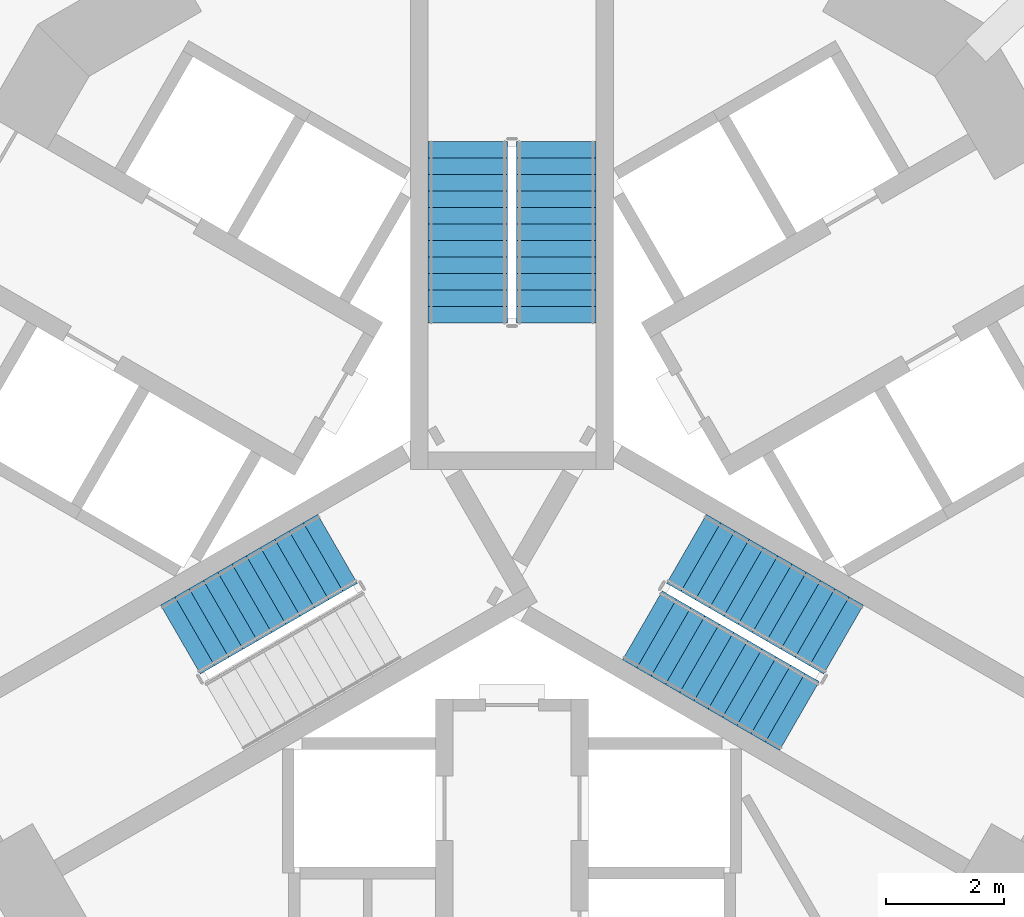
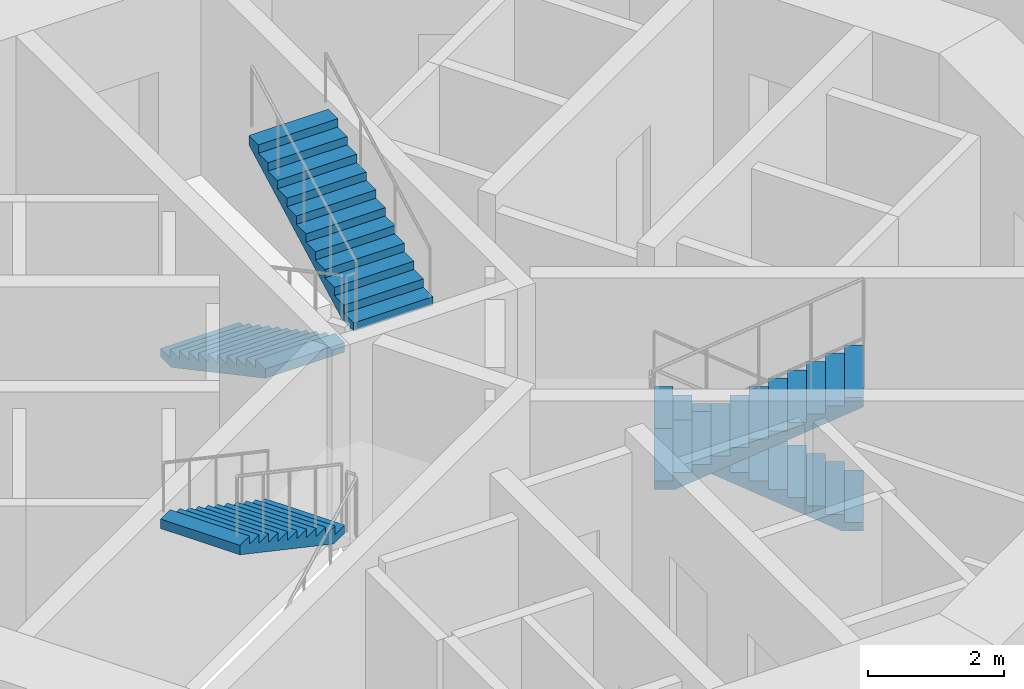
# One storey, part 12 of 20: 5 stair flights, 3 elements without a shape of their own.
"""IFC4 building model written with IfcOpenShell, lengths in metres."""

from ifc_helpers import new_model, si_unit, direction, frame, origin, place, context, subcontext, project, spatial, polyline, outline, extrude, material, type_object, element, aggregate, save


model = new_model("IFC4")

# Units and contexts
model_context = context("Model", 3, precision=1e-05, world=origin(), true_north=direction((0.0, 1.0)))
body_context = subcontext(model_context, "Body", "Model", "MODEL_VIEW")
ifc_project = project(units=[si_unit("LENGTHUNIT", "METRE"), si_unit("AREAUNIT", "SQUARE_METRE"), si_unit("VOLUMEUNIT", "CUBIC_METRE"), si_unit("PLANEANGLEUNIT", "RADIAN"), si_unit("MASSUNIT", "GRAM", prefix="KILO")], contexts=[model_context])

# Site, building, storey
site_placement = place(None, origin())
site = spatial("IfcSite", under=ifc_project, at=site_placement, CompositionType="ELEMENT")
building_placement = place(site_placement, origin())
building = spatial("IfcBuilding", under=site, at=building_placement, Name="Trine Commons Tower", CompositionType="ELEMENT")
storey_placement = place(building_placement, frame((0.0, 0.0, 101.699951171875)))
storey = spatial("IfcBuildingStorey", under=building, at=storey_placement, Name="L25", CompositionType="ELEMENT", Elevation=101.699951171875)

# Stair, stair flights
ifc_material = material(Name="Concrete C50/60", Category="concrete")
stair_type = type_object("IfcStairType", Name="Exit stair, dog-leg, 24 risers of 150 mm", PredefinedType="HALF_TURN_STAIR", material=ifc_material)
stair_1_placement = place(storey_placement, origin())
stair_1 = element("IfcStair", 1, at=stair_1_placement, inside=storey, type_object=stair_type, Name="L25 Exit stair ST1A", PredefinedType="HALF_TURN_STAIR")
stair_flight_type = type_object("IfcStairFlightType", Name="Stair flight, 1350 wide, 12 risers of 150 mm", PredefinedType="STRAIGHT", material=ifc_material)
stair_flight_1_placement = place(storey_placement, frame((79.25, 68.570556640625, 0.0), z_axis=(0.0, 0.0, 1.0), x_axis=(0.0, -1.0, 0.0)))
stair_flight_1 = element("IfcStairFlight", 2, at=stair_flight_1_placement, type_object=stair_flight_type, Name="ST1A flight 1", NumberOfRisers=12, NumberOfTreads=11, PredefinedType="STRAIGHT", RiserHeight=0.15, TreadLength=0.28, context=body_context, shape_type="SweptSolid", body=[
    extrude(outline(polyline([(0.0, 0.0), (0.0, 0.14990234375), (0.280029296875, 0.14990234375), (0.280029296875, 0.300048828125), (0.56005859375, 0.300048828125), (0.56005859375, 0.449951171875), (0.840087890625, 0.449951171875), (0.840087890625, 0.60009765625), (1.1201171875, 0.60009765625), (1.1201171875, 0.75), (1.39990234375, 0.75), (1.39990234375, 0.89990234375), (1.679931640625, 0.89990234375), (1.679931640625, 1.050048828125), (1.9599609375, 1.050048828125), (1.9599609375, 1.199951171875), (2.239990234375, 1.199951171875), (2.239990234375, 1.35009765625), (2.52001953125, 1.35009765625), (2.52001953125, 1.5), (2.800048828125, 1.5), (2.800048828125, 1.64990234375), (3.080078125, 1.64990234375), (3.080078125, 1.800048828125), (3.080078125, 1.47998046875), (0.3173828125, 0.0), (0.0, 0.0)])), frame((0.0, 0.675048828125, 0.0), z_axis=(0.0, -1.0, 0.0), x_axis=(1.0, 0.0, 0.0)), (0.0, 0.0, 1.0), 1.35009765625),
])
stair_flight_2_placement = place(storey_placement, frame((80.75, 65.490478515625, 1.800048828125), z_axis=(0.0, 0.0, 1.0), x_axis=(0.0, 1.0, 0.0)))
stair_flight_2 = element("IfcStairFlight", 3, at=stair_flight_2_placement, type_object=stair_flight_type, Name="ST1A flight 2", NumberOfRisers=12, NumberOfTreads=11, PredefinedType="STRAIGHT", RiserHeight=0.15, TreadLength=0.28, context=body_context, shape_type="SweptSolid", body=[
    extrude(outline(polyline([(0.0, 0.0), (0.0, 0.14990234375), (0.280029296875, 0.14990234375), (0.280029296875, 0.300048828125), (0.56005859375, 0.300048828125), (0.56005859375, 0.449951171875), (0.840087890625, 0.449951171875), (0.840087890625, 0.60009765625), (1.1201171875, 0.60009765625), (1.1201171875, 0.75), (1.39990234375, 0.75), (1.39990234375, 0.89990234375), (1.679931640625, 0.89990234375), (1.679931640625, 1.050048828125), (1.9599609375, 1.050048828125), (1.9599609375, 1.199951171875), (2.239990234375, 1.199951171875), (2.239990234375, 1.35009765625), (2.52001953125, 1.35009765625), (2.52001953125, 1.5), (2.800048828125, 1.5), (2.800048828125, 1.64990234375), (3.080078125, 1.64990234375), (3.080078125, 1.800048828125), (3.080078125, 1.47998046875), (0.3173828125, 0.0), (0.0, 0.0)])), frame((0.0, 0.675048828125, 0.0), z_axis=(0.0, -1.0, 0.0), x_axis=(1.0, 0.0, 0.0)), (0.0, 0.0, 1.0), 1.35009765625),
])
aggregate(stair_1, [stair_flight_1, stair_flight_2])

# Stair, stair flight
stair_2_placement = place(storey_placement, origin())
stair_2 = element("IfcStair", 4, at=stair_2_placement, inside=storey, type_object=stair_type, Name="L25 Exit stair ST2A", PredefinedType="HALF_TURN_STAIR")
stair_flight_3_placement = place(storey_placement, frame((77.03515625, 61.654296875, 1.800048828125), z_axis=(0.0, 0.0, 1.0), x_axis=(-0.866025403784, -0.5, 0.0)))
stair_flight_3 = element("IfcStairFlight", 5, at=stair_flight_3_placement, type_object=stair_flight_type, Name="ST2A flight 2", NumberOfRisers=12, NumberOfTreads=11, PredefinedType="STRAIGHT", RiserHeight=0.15, TreadLength=0.28, context=body_context, shape_type="SweptSolid", body=[
    extrude(outline(polyline([(0.0, 0.0), (0.0, 0.14990234375), (0.280029296875, 0.14990234375), (0.280029296875, 0.300048828125), (0.56005859375, 0.300048828125), (0.56005859375, 0.449951171875), (0.840087890625, 0.449951171875), (0.840087890625, 0.60009765625), (1.1201171875, 0.60009765625), (1.1201171875, 0.75), (1.39990234375, 0.75), (1.39990234375, 0.89990234375), (1.679931640625, 0.89990234375), (1.679931640625, 1.050048828125), (1.9599609375, 1.050048828125), (1.9599609375, 1.199951171875), (2.239990234375, 1.199951171875), (2.239990234375, 1.35009765625), (2.52001953125, 1.35009765625), (2.52001953125, 1.5), (2.800048828125, 1.5), (2.800048828125, 1.64990234375), (3.080078125, 1.64990234375), (3.080078125, 1.800048828125), (3.080078125, 1.47998046875), (0.3173828125, 0.0), (0.0, 0.0)])), frame((0.0, 0.675048828125, 0.0), z_axis=(0.0, -1.0, 0.0), x_axis=(1.0, 0.0, 0.0)), (0.0, 0.0, 1.0), 1.35009765625),
])
aggregate(stair_2, [stair_flight_3])

# Stair, stair flights
stair_3_placement = place(storey_placement, origin())
stair_3 = element("IfcStair", 6, at=stair_3_placement, inside=storey, type_object=stair_type, Name="L25 Exit stair ST3A", PredefinedType="HALF_TURN_STAIR")
stair_flight_4_placement = place(storey_placement, frame((85.63232421875, 60.1142578125, 0.0), z_axis=(0.0, 0.0, 1.0), x_axis=(-0.866025403784, 0.5, 0.0)))
stair_flight_4 = element("IfcStairFlight", 7, at=stair_flight_4_placement, type_object=stair_flight_type, Name="ST3A flight 1", NumberOfRisers=12, NumberOfTreads=11, PredefinedType="STRAIGHT", RiserHeight=0.15, TreadLength=0.28, context=body_context, shape_type="SweptSolid", body=[
    extrude(outline(polyline([(0.0, 0.0), (0.0, 0.14990234375), (0.280029296875, 0.14990234375), (0.280029296875, 0.300048828125), (0.56005859375, 0.300048828125), (0.56005859375, 0.449951171875), (0.840087890625, 0.449951171875), (0.840087890625, 0.60009765625), (1.1201171875, 0.60009765625), (1.1201171875, 0.75), (1.39990234375, 0.75), (1.39990234375, 0.89990234375), (1.679931640625, 0.89990234375), (1.679931640625, 1.050048828125), (1.9599609375, 1.050048828125), (1.9599609375, 1.199951171875), (2.239990234375, 1.199951171875), (2.239990234375, 1.35009765625), (2.52001953125, 1.35009765625), (2.52001953125, 1.5), (2.800048828125, 1.5), (2.800048828125, 1.64990234375), (3.080078125, 1.64990234375), (3.080078125, 1.800048828125), (3.080078125, 1.47998046875), (0.3173828125, 0.0), (0.0, 0.0)])), frame((0.0, 0.675048828125, 0.0), z_axis=(0.0, -1.0, 0.0), x_axis=(1.0, 0.0, 0.0)), (0.0, 0.0, 1.0), 1.35009765625),
])
stair_flight_5_placement = place(storey_placement, frame((82.21484375, 60.355224609375, 1.800048828125), z_axis=(0.0, 0.0, 1.0), x_axis=(0.866025403784, -0.5, 0.0)))
stair_flight_5 = element("IfcStairFlight", 8, at=stair_flight_5_placement, type_object=stair_flight_type, Name="ST3A flight 2", NumberOfRisers=12, NumberOfTreads=11, PredefinedType="STRAIGHT", RiserHeight=0.15, TreadLength=0.28, context=body_context, shape_type="SweptSolid", body=[
    extrude(outline(polyline([(0.0, 0.0), (0.0, 0.14990234375), (0.280029296875, 0.14990234375), (0.280029296875, 0.300048828125), (0.56005859375, 0.300048828125), (0.56005859375, 0.449951171875), (0.840087890625, 0.449951171875), (0.840087890625, 0.60009765625), (1.1201171875, 0.60009765625), (1.1201171875, 0.75), (1.39990234375, 0.75), (1.39990234375, 0.89990234375), (1.679931640625, 0.89990234375), (1.679931640625, 1.050048828125), (1.9599609375, 1.050048828125), (1.9599609375, 1.199951171875), (2.239990234375, 1.199951171875), (2.239990234375, 1.35009765625), (2.52001953125, 1.35009765625), (2.52001953125, 1.5), (2.800048828125, 1.5), (2.800048828125, 1.64990234375), (3.080078125, 1.64990234375), (3.080078125, 1.800048828125), (3.080078125, 1.47998046875), (0.3173828125, 0.0), (0.0, 0.0)])), frame((0.0, 0.675048828125, 0.0), z_axis=(0.0, -1.0, 0.0), x_axis=(1.0, 0.0, 0.0)), (0.0, 0.0, 1.0), 1.35009765625),
])
aggregate(stair_3, [stair_flight_4, stair_flight_5])

save(model, "model.ifc")
